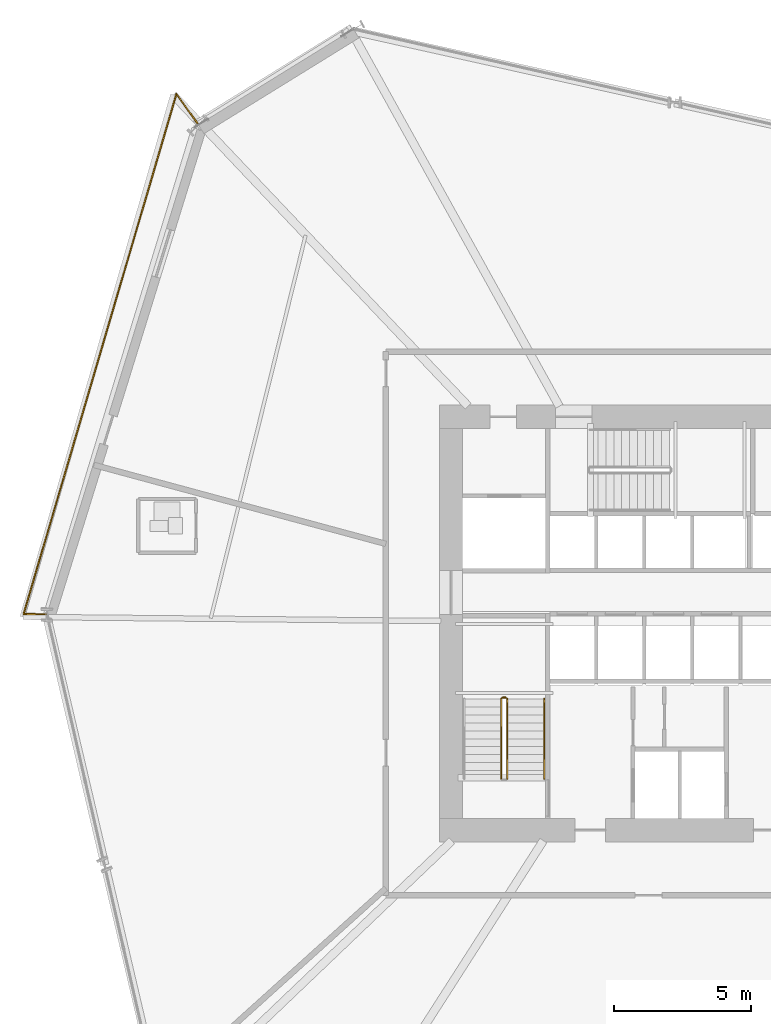
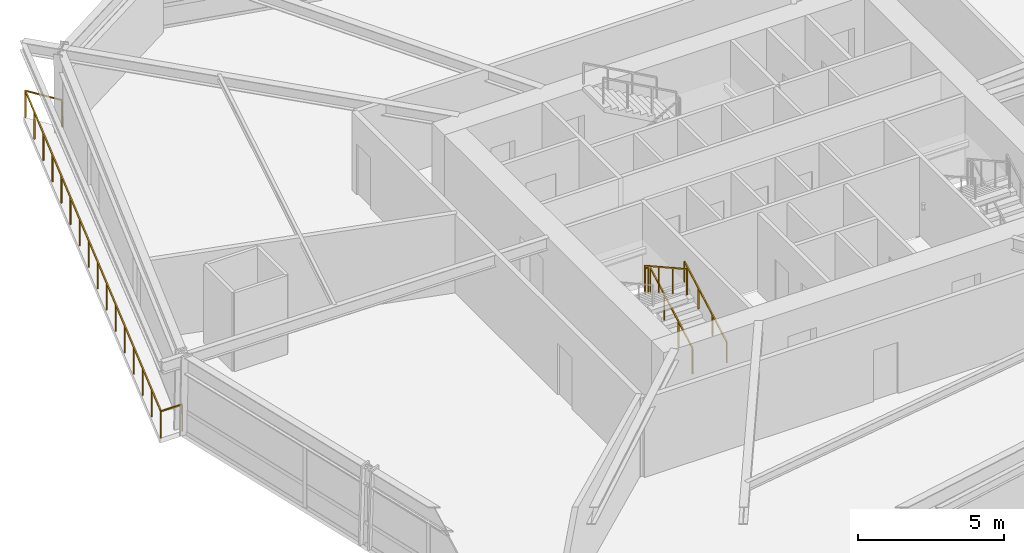
# One storey, part 20 of 23: 5 railings.
"""IFC4 building model written with IfcOpenShell, lengths in metres."""

from ifc_helpers import new_model, si_unit, direction, frame, origin, origin_2d, place, context, subcontext, project, spatial, rectangle, extrude, material, type_object, element, save


model = new_model("IFC4")

# Units and contexts
model_context = context("Model", 3, precision=1e-05, world=origin(), true_north=direction((0.0, 1.0)))
body_context = subcontext(model_context, "Body", "Model", "MODEL_VIEW")
ifc_project = project(units=[si_unit("LENGTHUNIT", "METRE"), si_unit("AREAUNIT", "SQUARE_METRE"), si_unit("VOLUMEUNIT", "CUBIC_METRE"), si_unit("PLANEANGLEUNIT", "RADIAN"), si_unit("MASSUNIT", "GRAM", prefix="KILO")], contexts=[model_context])

# Site, building, storey
site_placement = place(None, origin())
site = spatial("IfcSite", under=ifc_project, at=site_placement, CompositionType="ELEMENT")
building_placement = place(site_placement, origin())
building = spatial("IfcBuilding", under=site, at=building_placement, Name="Olszyna Solenne Hotel", CompositionType="ELEMENT")
storey_placement = place(building_placement, frame((0.0, 0.0, 32.85009765625)))
storey = spatial("IfcBuildingStorey", under=building, at=storey_placement, Name="L07", CompositionType="ELEMENT", Elevation=32.85009765625)

# Railings
ifc_material_1 = material(Name="Anodised bronze aluminium", Category="aluminium")
railing_type_1 = type_object("IfcRailingType", Name="GR-110", PredefinedType="BALUSTRADE", material=ifc_material_1)
railing_1_placement = place(storey_placement, frame((20.478515625, 44.756103515625, 0.0)))
element("IfcRailing", 1, at=railing_1_placement, inside=storey, type_object=railing_type_1, Name="Loggia balcony balustrade guard GR-L07-LG2", PredefinedType="BALUSTRADE", context=body_context, shape_type="SweptSolid", body=[
    extrude(rectangle(XDim=0.048095703125, YDim=0.048095703125, at=origin_2d()), frame((0.0, 0.0, 1.1259765625), z_axis=(-0.583045050706, 0.812439824754, 0.0), x_axis=(-0.812439824754, -0.583045050706, 0.0)), (0.0, 0.0, 1.0), 1.37939453125),
    extrude(rectangle(XDim=0.048095703125, YDim=0.048095703125, at=origin_2d()), frame((-0.80419921875, 1.12060546875, 1.1259765625), z_axis=(-0.281881007728, -0.959449372027, 0.0), x_axis=(0.959449372027, -0.281881007728, 0.0)), (0.0, 0.0, 1.0), 19.736083984375),
    extrude(rectangle(XDim=0.048095703125, YDim=0.048095703125, at=origin_2d()), frame((-6.367431640625, -17.815185546875, 1.1259765625), z_axis=(0.999964978342, -0.008369115259, 0.0), x_axis=(0.008369115259, 0.999964978342, 0.0)), (0.0, 0.0, 1.0), 0.845947265625),
    extrude(rectangle(XDim=0.0419921875, YDim=0.0419921875, at=origin_2d()), origin(), (0.0, 0.0, 1.0), 1.101806640625),
    extrude(rectangle(XDim=0.0419921875, YDim=0.0419921875, at=origin_2d()), frame((-0.80419921875, 1.12060546875, 0.0)), (0.0, 0.0, 1.0), 1.101806640625),
    extrude(rectangle(XDim=0.0419921875, YDim=0.0419921875, at=origin_2d()), frame((-1.175048828125, -0.141845703125, 0.0)), (0.0, 0.0, 1.0), 1.101806640625),
    extrude(rectangle(XDim=0.0419921875, YDim=0.0419921875, at=origin_2d()), frame((-1.5458984375, -1.404052734375, 0.0)), (0.0, 0.0, 1.0), 1.101806640625),
    extrude(rectangle(XDim=0.0419921875, YDim=0.0419921875, at=origin_2d()), frame((-1.916748046875, -2.66650390625, 0.0)), (0.0, 0.0, 1.0), 1.101806640625),
    extrude(rectangle(XDim=0.0419921875, YDim=0.0419921875, at=origin_2d()), frame((-2.287841796875, -3.928955078125, 0.0)), (0.0, 0.0, 1.0), 1.101806640625),
    extrude(rectangle(XDim=0.0419921875, YDim=0.0419921875, at=origin_2d()), frame((-2.65869140625, -5.19140625, 0.0)), (0.0, 0.0, 1.0), 1.101806640625),
    extrude(rectangle(XDim=0.0419921875, YDim=0.0419921875, at=origin_2d()), frame((-3.029541015625, -6.45361328125, 0.0)), (0.0, 0.0, 1.0), 1.101806640625),
    extrude(rectangle(XDim=0.0419921875, YDim=0.0419921875, at=origin_2d()), frame((-3.400390625, -7.716064453125, 0.0)), (0.0, 0.0, 1.0), 1.101806640625),
    extrude(rectangle(XDim=0.0419921875, YDim=0.0419921875, at=origin_2d()), frame((-3.771240234375, -8.978515625, 0.0)), (0.0, 0.0, 1.0), 1.101806640625),
    extrude(rectangle(XDim=0.0419921875, YDim=0.0419921875, at=origin_2d()), frame((-4.14208984375, -10.240966796875, 0.0)), (0.0, 0.0, 1.0), 1.101806640625),
    extrude(rectangle(XDim=0.0419921875, YDim=0.0419921875, at=origin_2d()), frame((-4.512939453125, -11.503173828125, 0.0)), (0.0, 0.0, 1.0), 1.101806640625),
    extrude(rectangle(XDim=0.0419921875, YDim=0.0419921875, at=origin_2d()), frame((-4.8837890625, -12.765625, 0.0)), (0.0, 0.0, 1.0), 1.101806640625),
    extrude(rectangle(XDim=0.0419921875, YDim=0.0419921875, at=origin_2d()), frame((-5.2548828125, -14.028076171875, 0.0)), (0.0, 0.0, 1.0), 1.101806640625),
    extrude(rectangle(XDim=0.0419921875, YDim=0.0419921875, at=origin_2d()), frame((-5.625732421875, -15.29052734375, 0.0)), (0.0, 0.0, 1.0), 1.101806640625),
    extrude(rectangle(XDim=0.0419921875, YDim=0.0419921875, at=origin_2d()), frame((-5.99658203125, -16.552734375, 0.0)), (0.0, 0.0, 1.0), 1.101806640625),
    extrude(rectangle(XDim=0.0419921875, YDim=0.0419921875, at=origin_2d()), frame((-6.367431640625, -17.815185546875, 0.0)), (0.0, 0.0, 1.0), 1.101806640625),
    extrude(rectangle(XDim=0.0419921875, YDim=0.0419921875, at=origin_2d()), frame((-5.521484375, -17.822265625, 0.0)), (0.0, 0.0, 1.0), 1.101806640625),
])
railing_2_placement = place(storey_placement, frame((31.719970703125, 20.949951171875, 0.161376953125)))
element("IfcRailing", 2, at=railing_2_placement, inside=storey, type_object=railing_type_1, Name="L07 ST1 stair guard 1", PredefinedType="BALUSTRADE", context=body_context, shape_type="SweptSolid", body=[
    extrude(rectangle(XDim=0.048095703125, YDim=0.048095703125, at=origin_2d()), frame((0.0, 0.0, 1.076171875), z_axis=(0.0, 0.873858693841, 0.486179990537), x_axis=(-1.0, 0.0, 0.0)), (0.0, 0.0, 1.0), 3.31884765625),
    extrude(rectangle(XDim=0.0419921875, YDim=0.0419921875, at=origin_2d()), origin(), (0.0, 0.0, 1.0), 1.052001953125),
    extrude(rectangle(XDim=0.0419921875, YDim=0.0419921875, at=origin_2d()), frame((0.0, 0.966796875, 0.537841796875)), (0.0, 0.0, 1.0), 1.052001953125),
    extrude(rectangle(XDim=0.0419921875, YDim=0.0419921875, at=origin_2d()), frame((0.0, 1.933349609375, 1.07568359375)), (0.0, 0.0, 1.0), 1.052001953125),
    extrude(rectangle(XDim=0.0419921875, YDim=0.0419921875, at=origin_2d()), frame((0.0, 2.900146484375, 1.613525390625)), (0.0, 0.0, 1.0), 1.052001953125),
])
railing_3_placement = place(storey_placement, frame((31.669921875, 23.89990234375, 1.77490234375)))
element("IfcRailing", 3, at=railing_3_placement, inside=storey, type_object=railing_type_1, Name="L07 ST1 stair guard 2", PredefinedType="BALUSTRADE", context=body_context, shape_type="SweptSolid", body=[
    extrude(rectangle(XDim=0.048095703125, YDim=0.048095703125, at=origin_2d()), frame((0.0, 0.0, 1.076171875), z_axis=(-1.0, 0.0, 0.0), x_axis=(0.0, -1.0, 0.0)), (0.0, 0.0, 1.0), 0.119873046875),
    extrude(rectangle(XDim=0.0419921875, YDim=0.0419921875, at=origin_2d()), origin(), (0.0, 0.0, 1.0), 1.052001953125),
    extrude(rectangle(XDim=0.0419921875, YDim=0.0419921875, at=origin_2d()), frame((-0.119873046875, 0.0, 0.0)), (0.0, 0.0, 1.0), 1.052001953125),
])
railing_4_placement = place(storey_placement, frame((31.5, 23.85009765625, 1.936279296875)))
element("IfcRailing", 4, at=railing_4_placement, inside=storey, type_object=railing_type_1, Name="L07 ST1 stair guard 3", PredefinedType="BALUSTRADE", context=body_context, shape_type="SweptSolid", body=[
    extrude(rectangle(XDim=0.048095703125, YDim=0.048095703125, at=origin_2d()), frame((0.0, 0.0, 1.076171875), z_axis=(0.0, -0.873858693841, 0.486179990537), x_axis=(1.0, 0.0, 0.0)), (0.0, 0.0, 1.0), 3.31884765625),
    extrude(rectangle(XDim=0.0419921875, YDim=0.0419921875, at=origin_2d()), origin(), (0.0, 0.0, 1.0), 1.052001953125),
    extrude(rectangle(XDim=0.0419921875, YDim=0.0419921875, at=origin_2d()), frame((0.0, -0.966796875, 0.537841796875)), (0.0, 0.0, 1.0), 1.052001953125),
    extrude(rectangle(XDim=0.0419921875, YDim=0.0419921875, at=origin_2d()), frame((0.0, -1.933349609375, 1.07568359375)), (0.0, 0.0, 1.0), 1.052001953125),
    extrude(rectangle(XDim=0.0419921875, YDim=0.0419921875, at=origin_2d()), frame((0.0, -2.900146484375, 1.613525390625)), (0.0, 0.0, 1.0), 1.052001953125),
])
ifc_material_2 = material(Name="Steel S355J2", Category="steel")
railing_type_2 = type_object("IfcRailingType", Name="HR-090", PredefinedType="HANDRAIL", material=ifc_material_2)
railing_5_placement = place(storey_placement, frame((33.070068359375, 20.949951171875, 0.161376953125)))
element("IfcRailing", 5, at=railing_5_placement, inside=storey, type_object=railing_type_2, Name="L07 ST1 stair handrail 1", PredefinedType="HANDRAIL", context=body_context, shape_type="SweptSolid", body=[
    extrude(rectangle(XDim=0.048095703125, YDim=0.048095703125, at=origin_2d()), frame((0.0, 0.0, 0.8759765625), z_axis=(0.0, 0.873858693841, 0.486179990537), x_axis=(-1.0, 0.0, 0.0)), (0.0, 0.0, 1.0), 3.31884765625),
    extrude(rectangle(XDim=0.0419921875, YDim=0.0419921875, at=origin_2d()), origin(), (0.0, 0.0, 1.0), 0.851806640625),
    extrude(rectangle(XDim=0.0419921875, YDim=0.0419921875, at=origin_2d()), frame((0.0, 0.966796875, 0.537841796875)), (0.0, 0.0, 1.0), 0.851806640625),
    extrude(rectangle(XDim=0.0419921875, YDim=0.0419921875, at=origin_2d()), frame((0.0, 1.933349609375, 1.07568359375)), (0.0, 0.0, 1.0), 0.851806640625),
    extrude(rectangle(XDim=0.0419921875, YDim=0.0419921875, at=origin_2d()), frame((0.0, 2.900146484375, 1.613525390625)), (0.0, 0.0, 1.0), 0.851806640625),
])

save(model, "model.ifc")
